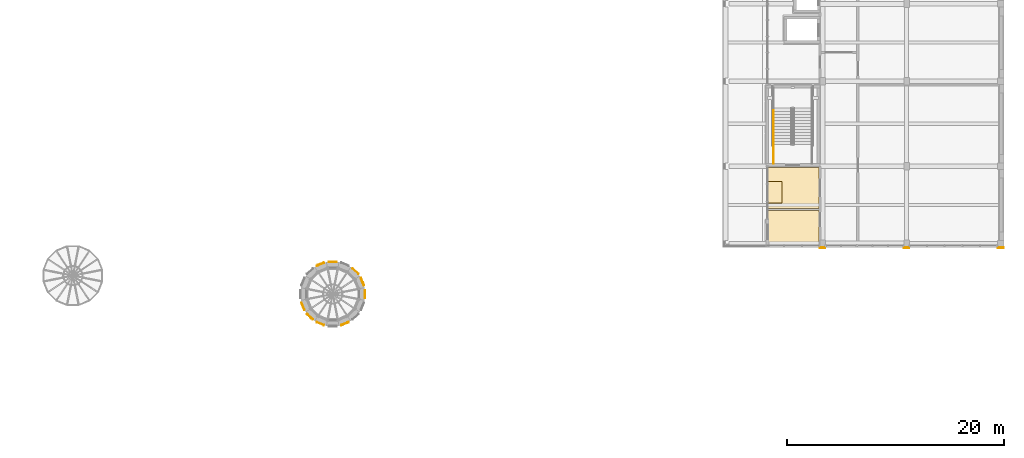
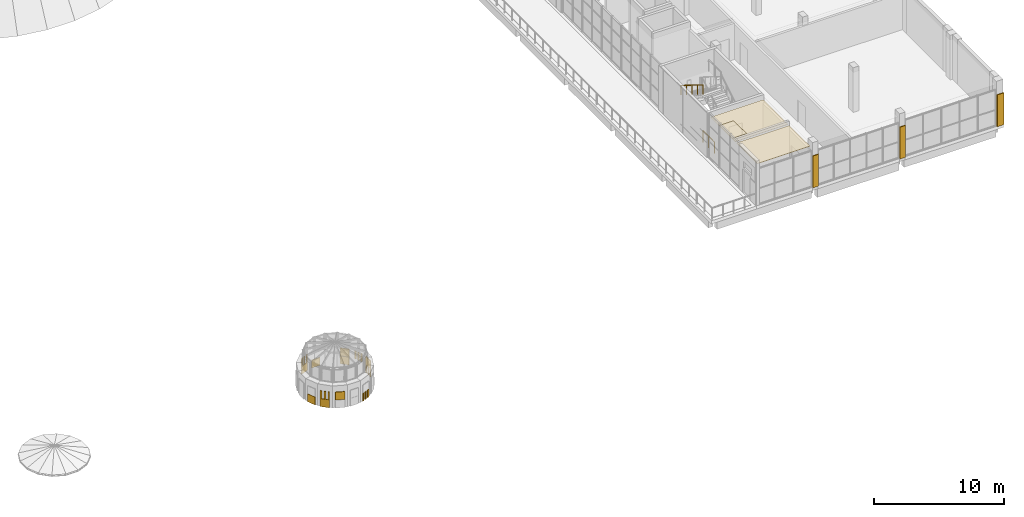
# One storey, part 32 of 36: 7 coverings, 2 railings.
"""IFC4 building model written with IfcOpenShell, lengths in metres."""

from ifc_helpers import new_model, si_unit, direction, frame, origin, origin_2d, place, context, subcontext, project, spatial, polyline, rectangle, circle, outline, extrude, material, layer, layer_set, type_object, element, save


model = new_model("IFC4")

# Units and contexts
model_context = context("Model", 3, precision=1e-05, world=origin(), true_north=direction((0.0, 1.0)))
body_context = subcontext(model_context, "Body", "Model", "MODEL_VIEW")
ifc_project = project(units=[si_unit("LENGTHUNIT", "METRE"), si_unit("AREAUNIT", "SQUARE_METRE"), si_unit("VOLUMEUNIT", "CUBIC_METRE"), si_unit("PLANEANGLEUNIT", "RADIAN"), si_unit("MASSUNIT", "GRAM", prefix="KILO")], contexts=[model_context])

# Site, building, storey
site_placement = place(None, origin())
site = spatial("IfcSite", under=ifc_project, at=site_placement, CompositionType="ELEMENT")
building_placement = place(site_placement, origin())
building = spatial("IfcBuilding", under=site, at=building_placement, Name="Sun Court Science Centre", CompositionType="ELEMENT")
storey_placement = place(building_placement, frame((0.0, 0.0, 24.75)))
storey = spatial("IfcBuildingStorey", under=building, at=storey_placement, Name="L05", CompositionType="ELEMENT", Elevation=24.75)

# Coverings
ifc_material_1 = material(Name="Gypsum board")
ifc_layer_1 = layer(ifc_material_1, 0.030029296875)
ifc_layer_set_1 = layer_set([ifc_layer_1], Name="Gypsum board")
covering_type_1 = type_object("IfcCoveringType", Name="Ceiling suspended 600 module", PredefinedType="CEILING", material=ifc_layer_set_1)
covering_1_placement = place(storey_placement, frame((0.0, 0.0, 3.77001953125)))
element("IfcCovering", 1, at=covering_1_placement, inside=storey, type_object=covering_type_1, Name="L05-009 ceiling", PredefinedType="CEILING", context=body_context, shape_type="SweptSolid", body=[
    extrude(outline(polyline([(82.199951171875, 32.60009765625), (83.5, 32.60009765625), (83.5, 34.60009765625), (82.199951171875, 34.60009765625), (82.199951171875, 35.89990234375), (86.89990234375, 35.89990234375), (86.89990234375, 32.10009765625), (82.199951171875, 32.10009765625), (82.199951171875, 32.60009765625)])), origin(), (0.0, 0.0, 1.0), 0.030029296875),
])
covering_2_placement = place(storey_placement, frame((0.0, 0.0, 3.77001953125)))
element("IfcCovering", 2, at=covering_2_placement, inside=storey, type_object=covering_type_1, Name="L05-012 ceiling", PredefinedType="CEILING", context=body_context, shape_type="SweptSolid", body=[
    extrude(outline(polyline([(82.199951171875, 28.699951171875), (82.199951171875, 31.89990234375), (86.89990234375, 31.89990234375), (86.89990234375, 28.699951171875), (82.199951171875, 28.699951171875)])), origin(), (0.0, 0.0, 1.0), 0.030029296875),
])
covering_3_placement = place(storey_placement, frame((0.0, 0.0, 3.77001953125)))
element("IfcCovering", 3, at=covering_3_placement, inside=storey, type_object=covering_type_1, Name="L05-019 ceiling", PredefinedType="CEILING", context=body_context, shape_type="SweptSolid", body=[
    extrude(outline(polyline([(83.5, 34.60009765625), (83.5, 32.60009765625), (82.199951171875, 32.60009765625), (82.199951171875, 34.60009765625), (83.5, 34.60009765625)])), origin(), (0.0, 0.0, 1.0), 0.030029296875),
])

# Railings
ifc_material_2 = material(Name="Steel S275", Category="steel")
railing_type_1 = type_object("IfcRailingType", Name="Guard 1100 steel balustrade", PredefinedType="GUARDRAIL", material=ifc_material_2)
railing_1_placement = place(storey_placement, frame((82.72705078125, 36.25, 0.0)))
element("IfcRailing", 4, at=railing_1_placement, inside=storey, type_object=railing_type_1, Name="L05 SL2 stair guard 8", PredefinedType="GUARDRAIL", context=body_context, shape_type="SweptSolid", body=[
    extrude(circle(Radius=0.02392578125, at=origin_2d()), frame((0.0, 0.0, 1.076171875), z_axis=(0.0, 1.0, 0.0), x_axis=(-1.0, 0.0, 0.0)), (0.0, 0.0, 1.0), 1.748046875),
    extrude(circle(Radius=0.02099609375, at=origin_2d()), origin(), (0.0, 0.0, 1.0), 1.052001953125),
    extrude(circle(Radius=0.02099609375, at=origin_2d()), frame((0.0, 0.8740234375, 0.0)), (0.0, 0.0, 1.0), 1.052001953125),
    extrude(circle(Radius=0.02099609375, at=origin_2d()), frame((0.0, 1.748046875, 0.0)), (0.0, 0.0, 1.0), 1.052001953125),
])
ifc_material_3 = material(Name="Stainless steel", Category="steel")
railing_type_2 = type_object("IfcRailingType", Name="Handrail 900 stainless", PredefinedType="HANDRAIL", material=ifc_material_3)
railing_2_placement = place(storey_placement, frame((82.72705078125, 41.35791015625, 2.423095703125)))
element("IfcRailing", 5, at=railing_2_placement, inside=storey, type_object=railing_type_2, Name="L05 SL2 stair handrail 2", PredefinedType="HANDRAIL", context=body_context, shape_type="SweptSolid", body=[
    extrude(circle(Radius=0.02392578125, at=origin_2d()), frame((0.0, 0.0, 0.8759765625), z_axis=(0.0, -0.850606129759, 0.525803396734), x_axis=(1.0, 0.0, 0.0)), (0.0, 0.0, 1.0), 3.949951171875),
    extrude(circle(Radius=0.02099609375, at=origin_2d()), origin(), (0.0, 0.0, 1.0), 0.851806640625),
    extrude(circle(Radius=0.02099609375, at=origin_2d()), frame((0.0, -0.83984375, 0.519287109375)), (0.0, 0.0, 1.0), 0.851806640625),
    extrude(circle(Radius=0.02099609375, at=origin_2d()), frame((0.0, -1.679931640625, 1.03857421875)), (0.0, 0.0, 1.0), 0.851806640625),
    extrude(circle(Radius=0.02099609375, at=origin_2d()), frame((0.0, -2.52001953125, 1.5576171875)), (0.0, 0.0, 1.0), 0.851806640625),
    extrude(circle(Radius=0.02099609375, at=origin_2d()), frame((0.0, -3.35986328125, 2.076904296875)), (0.0, 0.0, 1.0), 0.851806640625),
])

# Coverings
ifc_material_4 = material(Name="Red sandstone", Category="masonry")
ifc_layer_2 = layer(ifc_material_4, 0.080078125)
ifc_layer_set_2 = layer_set([ifc_layer_2], Name="Red sandstone")
covering_type_2 = type_object("IfcCoveringType", Name="Red sandstone pier cladding", PredefinedType="CLADDING", material=ifc_layer_set_2)
covering_4_placement = place(storey_placement, frame((0.0, 0.0, -24.75)))
element("IfcCovering", 6, at=covering_4_placement, inside=storey, type_object=covering_type_2, Name="Red sandstone pier cladding south face of the garden level L05", PredefinedType="CLADDING", context=body_context, shape_type="SweptSolid", body=[
    extrude(rectangle(XDim=0.60009765625, YDim=0.080078125, at=origin_2d()), frame((103.699951171875, 28.4599609375, 24.75), z_axis=(0.0, 0.0, 1.0), x_axis=(-1.0, 0.0, 0.0)), (0.0, 0.0, 1.0), 3.0),
    extrude(rectangle(XDim=0.5, YDim=0.080078125, at=origin_2d()), frame((95.0, 28.4599609375, 24.75), z_axis=(0.0, 0.0, 1.0), x_axis=(-1.0, 0.0, 0.0)), (0.0, 0.0, 1.0), 3.0),
    extrude(rectangle(XDim=0.5, YDim=0.080078125, at=origin_2d()), frame((87.25, 28.4599609375, 24.75), z_axis=(0.0, 0.0, 1.0), x_axis=(-1.0, 0.0, 0.0)), (0.0, 0.0, 1.0), 3.0),
])
ifc_material_5 = material(Name="Terracotta jali", Category="masonry")
ifc_layer_3 = layer(ifc_material_5, 0.06005859375)
ifc_layer_set_3 = layer_set([ifc_layer_3], Name="Terracotta jali")
covering_type_3 = type_object("IfcCoveringType", Name="Terracotta open jali panel", PredefinedType="CLADDING", material=ifc_layer_set_3)
covering_5_placement = place(storey_placement, frame((0.0, 0.0, -24.75)))
element("IfcCovering", 7, at=covering_5_placement, inside=storey, type_object=covering_type_3, Name="Open jali pixel cladding cone 4 L05", PredefinedType="CLADDING", context=body_context, shape_type="SweptSolid", body=[
    extrude(rectangle(XDim=0.139892578125, YDim=0.06005859375, at=origin_2d()), frame((44.63134765625, 25.61474609375, 25.205078125), z_axis=(0.0, 0.0, 1.0), x_axis=(0.382683432365, -0.923879532511, 0.0)), (0.0, 0.0, 1.0), 0.739990234375),
    extrude(rectangle(XDim=0.139892578125, YDim=0.06005859375, at=origin_2d()), frame((44.74609375, 25.33740234375, 25.205078125), z_axis=(0.0, 0.0, 1.0), x_axis=(0.382683432365, -0.923879532511, 0.0)), (0.0, 0.0, 1.0), 0.739990234375),
    extrude(rectangle(XDim=0.139892578125, YDim=0.06005859375, at=origin_2d()), frame((44.86083984375, 25.060302734375, 25.205078125), z_axis=(0.0, 0.0, 1.0), x_axis=(0.382683432365, -0.923879532511, 0.0)), (0.0, 0.0, 1.0), 0.739990234375),
    extrude(rectangle(XDim=0.139892578125, YDim=0.06005859375, at=origin_2d()), frame((40.58544921875, 26.831298828125, 25.205078125), z_axis=(0.0, 0.0, 1.0), x_axis=(0.923879532511, 0.382683432365, 0.0)), (0.0, 0.0, 1.0), 0.739990234375),
    extrude(rectangle(XDim=0.139892578125, YDim=0.06005859375, at=origin_2d()), frame((40.862548828125, 26.946044921875, 25.205078125), z_axis=(0.0, 0.0, 1.0), x_axis=(0.923879532511, 0.382683432365, 0.0)), (0.0, 0.0, 1.0), 0.739990234375),
    extrude(rectangle(XDim=0.139892578125, YDim=0.06005859375, at=origin_2d()), frame((41.1396484375, 27.060791015625, 25.205078125), z_axis=(0.0, 0.0, 1.0), x_axis=(0.923879532511, 0.382683432365, 0.0)), (0.0, 0.0, 1.0), 0.739990234375),
    extrude(rectangle(XDim=0.139892578125, YDim=0.06005859375, at=origin_2d()), frame((40.1103515625, 21.885986328125, 25.205078125), z_axis=(0.0, 0.0, 1.0), x_axis=(-0.707106781187, 0.707106781187, 0.0)), (0.0, 0.0, 1.0), 0.739990234375),
    extrude(rectangle(XDim=0.139892578125, YDim=0.06005859375, at=origin_2d()), frame((39.898193359375, 22.09814453125, 25.205078125), z_axis=(0.0, 0.0, 1.0), x_axis=(-0.707106781187, 0.707106781187, 0.0)), (0.0, 0.0, 1.0), 0.739990234375),
    extrude(rectangle(XDim=0.139892578125, YDim=0.06005859375, at=origin_2d()), frame((39.68603515625, 22.310302734375, 25.205078125), z_axis=(0.0, 0.0, 1.0), x_axis=(-0.707106781187, 0.707106781187, 0.0)), (0.0, 0.0, 1.0), 0.739990234375),
    extrude(rectangle(XDim=0.139892578125, YDim=0.06005859375, at=origin_2d()), frame((43.41455078125, 21.568603515625, 24.455078125), z_axis=(0.0, 0.0, 1.0), x_axis=(-0.923879532511, -0.382683432365, 0.0)), (0.0, 0.0, 1.0), 0.739990234375),
    extrude(rectangle(XDim=0.139892578125, YDim=0.06005859375, at=origin_2d()), frame((43.137451171875, 21.453857421875, 24.455078125), z_axis=(0.0, 0.0, 1.0), x_axis=(-0.923879532511, -0.382683432365, 0.0)), (0.0, 0.0, 1.0), 0.739990234375),
    extrude(rectangle(XDim=0.139892578125, YDim=0.06005859375, at=origin_2d()), frame((42.8603515625, 21.339111328125, 24.455078125), z_axis=(0.0, 0.0, 1.0), x_axis=(-0.923879532511, -0.382683432365, 0.0)), (0.0, 0.0, 1.0), 0.739990234375),
    extrude(rectangle(XDim=0.139892578125, YDim=0.06005859375, at=origin_2d()), frame((44.972412109375, 24.5, 24.455078125), z_axis=(0.0, 0.0, 1.0), x_axis=(0.0, -1.0, 0.0)), (0.0, 0.0, 1.0), 0.739990234375),
    extrude(rectangle(XDim=0.139892578125, YDim=0.06005859375, at=origin_2d()), frame((44.972412109375, 24.199951171875, 24.455078125), z_axis=(0.0, 0.0, 1.0), x_axis=(0.0, -1.0, 0.0)), (0.0, 0.0, 1.0), 0.739990234375),
    extrude(rectangle(XDim=0.139892578125, YDim=0.06005859375, at=origin_2d()), frame((44.972412109375, 23.89990234375, 24.455078125), z_axis=(0.0, 0.0, 1.0), x_axis=(0.0, -1.0, 0.0)), (0.0, 0.0, 1.0), 0.739990234375),
    extrude(rectangle(XDim=0.739990234375, YDim=0.06005859375, at=origin_2d()), frame((39.898193359375, 22.09814453125, 24.455078125), z_axis=(0.0, 0.0, 1.0), x_axis=(-0.707106781187, 0.707106781187, 0.0)), (0.0, 0.0, 1.0), 0.739990234375),
])
ifc_material_6 = material(Name="Terracotta shade 3", Category="masonry")
ifc_layer_4 = layer(ifc_material_6, 0.06005859375)
ifc_layer_set_4 = layer_set([ifc_layer_4], Name="Terracotta shade 3")
covering_type_4 = type_object("IfcCoveringType", Name="Terracotta pixel panel shade 3", PredefinedType="CLADDING", material=ifc_layer_set_4)
covering_6_placement = place(storey_placement, frame((0.0, 0.0, -24.75)))
element("IfcCovering", 8, at=covering_6_placement, inside=storey, type_object=covering_type_4, Name="Terracotta pixel cladding shade 3 cone 4 L05", PredefinedType="CLADDING", context=body_context, shape_type="SweptSolid", body=[
    extrude(rectangle(XDim=0.739990234375, YDim=0.06005859375, at=origin_2d()), frame((44.101806640625, 26.3017578125, 25.205078125), z_axis=(0.0, 0.0, 1.0), x_axis=(0.707106781187, -0.707106781187, 0.0)), (0.0, 0.0, 1.0), 0.739990234375),
    extrude(rectangle(XDim=0.739990234375, YDim=0.06005859375, at=origin_2d()), frame((42.0, 27.17236328125, 24.455078125), z_axis=(0.0, 0.0, 1.0), x_axis=(1.0, 0.0, 0.0)), (0.0, 0.0, 1.0), 0.739990234375),
    extrude(rectangle(XDim=0.739990234375, YDim=0.06005859375, at=origin_2d()), frame((40.862548828125, 26.946044921875, 24.455078125), z_axis=(0.0, 0.0, 1.0), x_axis=(0.923879532511, 0.382683432365, 0.0)), (0.0, 0.0, 1.0), 0.739990234375),
    extrude(rectangle(XDim=0.739990234375, YDim=0.06005859375, at=origin_2d()), frame((39.25390625, 23.0625, 24.455078125), z_axis=(0.0, 0.0, 1.0), x_axis=(-0.382683432365, 0.923879532511, 0.0)), (0.0, 0.0, 1.0), 0.739990234375),
])
ifc_material_7 = material(Name="Terracotta shade 4", Category="masonry")
ifc_layer_5 = layer(ifc_material_7, 0.06005859375)
ifc_layer_set_5 = layer_set([ifc_layer_5], Name="Terracotta shade 4")
covering_type_5 = type_object("IfcCoveringType", Name="Terracotta pixel panel shade 4", PredefinedType="CLADDING", material=ifc_layer_set_5)
covering_7_placement = place(storey_placement, frame((0.0, 0.0, -24.75)))
element("IfcCovering", 9, at=covering_7_placement, inside=storey, type_object=covering_type_5, Name="Terracotta pixel cladding shade 4 cone 4 L05", PredefinedType="CLADDING", context=body_context, shape_type="SweptSolid", body=[
    extrude(rectangle(XDim=0.739990234375, YDim=0.06005859375, at=origin_2d()), frame((44.101806640625, 26.3017578125, 24.455078125), z_axis=(0.0, 0.0, 1.0), x_axis=(0.707106781187, -0.707106781187, 0.0)), (0.0, 0.0, 1.0), 0.739990234375),
    extrude(rectangle(XDim=0.739990234375, YDim=0.06005859375, at=origin_2d()), frame((40.862548828125, 21.453857421875, 25.205078125), z_axis=(0.0, 0.0, 1.0), x_axis=(-0.923879532511, 0.382683432365, 0.0)), (0.0, 0.0, 1.0), 0.739990234375),
    extrude(rectangle(XDim=0.739990234375, YDim=0.06005859375, at=origin_2d()), frame((44.972412109375, 24.199951171875, 25.205078125), z_axis=(0.0, 0.0, 1.0), x_axis=(0.0, -1.0, 0.0)), (0.0, 0.0, 1.0), 0.739990234375),
])

save(model, "model.ifc")
